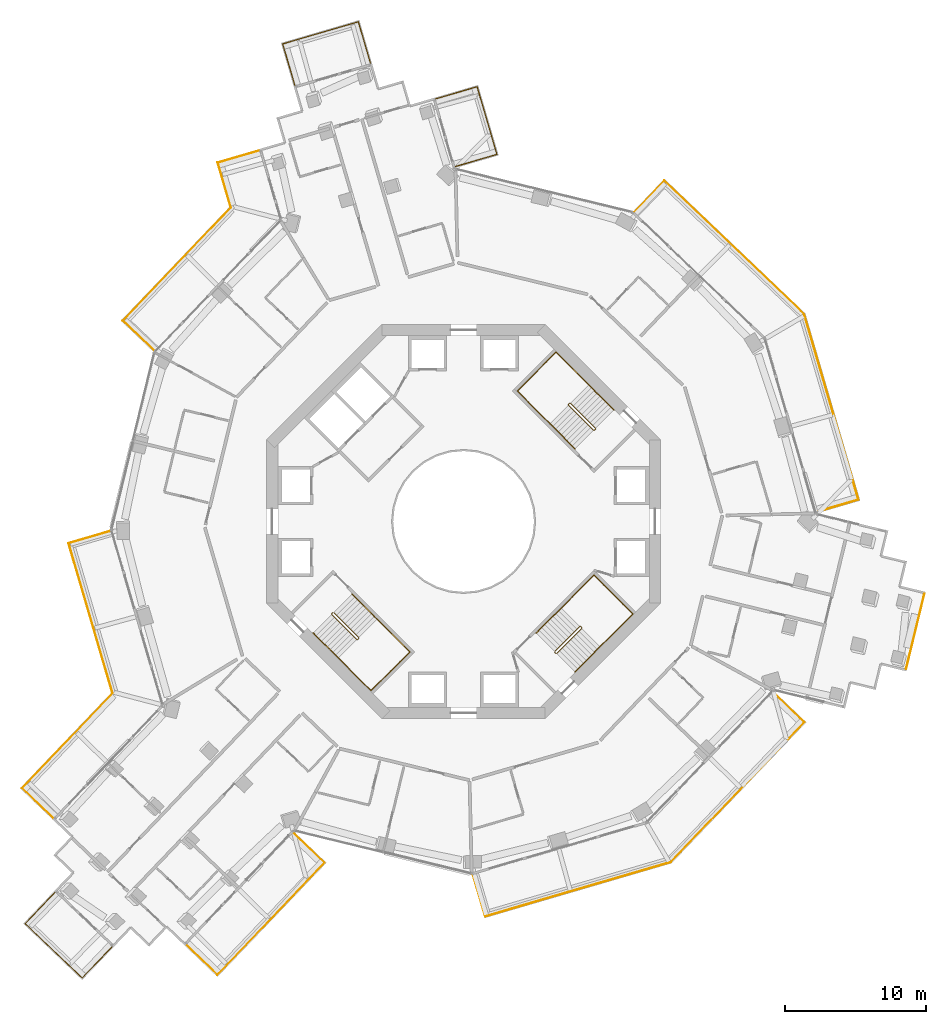
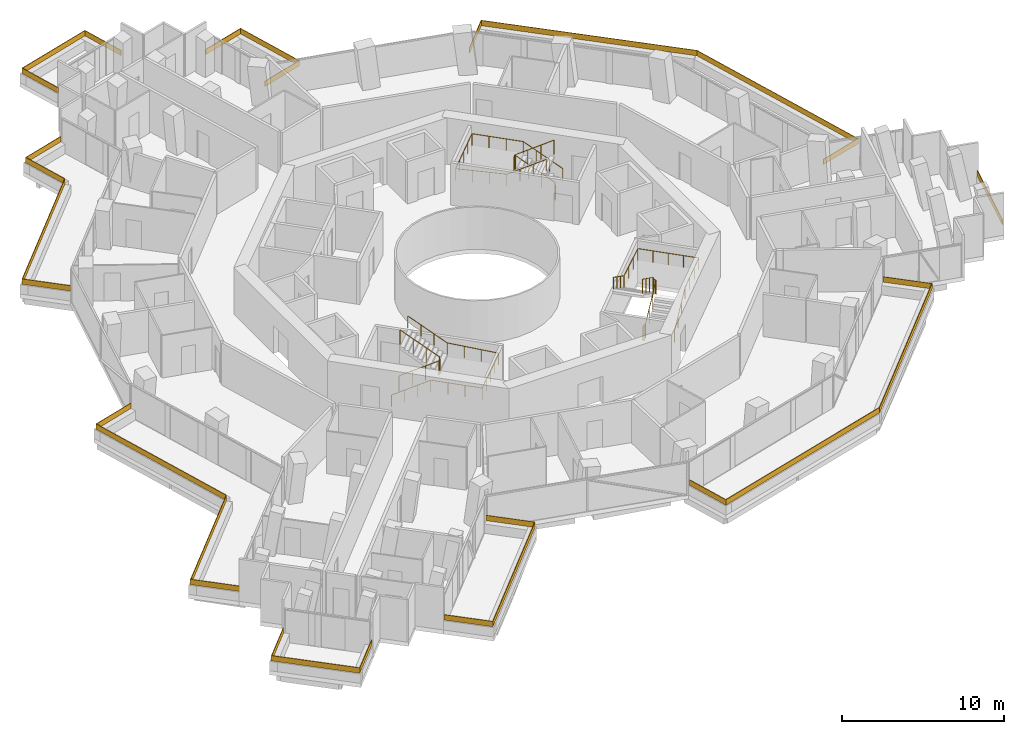
# One storey, part 25 of 25: 15 railings.
"""IFC4 building model written with IfcOpenShell, lengths in metres."""

from ifc_helpers import new_model, si_unit, direction, frame, origin, origin_2d, place, context, subcontext, project, spatial, polyline, rectangle, circle, outline, extrude, material, layer, layer_set, type_object, element, save


model = new_model("IFC4")

# Units and contexts
model_context = context("Model", 3, precision=1e-05, world=origin(), true_north=direction((0.0, 1.0)))
body_context = subcontext(model_context, "Body", "Model", "MODEL_VIEW")
ifc_project = project(units=[si_unit("LENGTHUNIT", "METRE"), si_unit("AREAUNIT", "SQUARE_METRE"), si_unit("VOLUMEUNIT", "CUBIC_METRE"), si_unit("PLANEANGLEUNIT", "RADIAN"), si_unit("MASSUNIT", "GRAM", prefix="KILO")], contexts=[model_context])

# Site, building, storey
site_placement = place(None, origin())
site = spatial("IfcSite", under=ifc_project, at=site_placement, CompositionType="ELEMENT")
building_placement = place(site_placement, origin())
building = spatial("IfcBuilding", under=site, at=building_placement, Name="Verdalira Terraces Hotel", CompositionType="ELEMENT")
storey_placement = place(building_placement, frame((0.0, 0.0, 100.0)))
storey = spatial("IfcBuildingStorey", under=building, at=storey_placement, Name="L23", CompositionType="ELEMENT", Elevation=100.0)

# Railings
ifc_material_1 = material(Name="Laminated glass", Category="glass")
ifc_layer = layer(ifc_material_1, 0.0400390625)
ifc_layer_set = layer_set([ifc_layer], Name="Balcony glass guard 400")
railing_type_1 = type_object("IfcRailingType", Name="Balcony glass guard 400", PredefinedType="GUARDRAIL", material=ifc_layer_set)
railing_1_placement = place(storey_placement, frame((0.0, 0.0, 0.699951)))
element("IfcRailing", 1, at=railing_1_placement, inside=storey, type_object=railing_type_1, Name="Balcony glass guard", PredefinedType="GUARDRAIL", context=body_context, shape_type="SweptSolid", body=[
    extrude(outline(polyline([(-7.489258, 35.471191), (-12.825195, 33.908936), (-11.959961, 30.953857), (-11.998291, 30.942627), (-12.874756, 33.936035), (-7.462158, 35.520996), (-6.585693, 32.527588), (-6.624023, 32.516357), (-7.489258, 35.471191)])), origin(), (0.0, 0.0, 1.0), 0.400146),
])
railing_2_placement = place(storey_placement, frame((0.0, 0.0, 0.699951)))
element("IfcRailing", 2, at=railing_2_placement, inside=storey, type_object=railing_type_1, Name="Balcony glass guard", PredefinedType="GUARDRAIL", context=body_context, shape_type="SweptSolid", body=[
    extrude(outline(polyline([(-17.44043, 25.472168), (-16.510254, 22.29541), (-24.17749, 14.266602), (-21.950684, 12.140137), (-21.978271, 12.111328), (-24.234131, 14.265381), (-16.555176, 22.306396), (-17.48999, 25.499268), (-14.496826, 26.375732), (-14.485596, 26.337158), (-17.44043, 25.472168)])), origin(), (0.0, 0.0, 1.0), 0.400146),
])
railing_3_placement = place(storey_placement, frame((0.0, 0.0, 0.699951)))
element("IfcRailing", 3, at=railing_3_placement, inside=storey, type_object=railing_type_1, Name="Balcony glass guard", PredefinedType="GUARDRAIL", context=body_context, shape_type="SweptSolid", body=[
    extrude(outline(polyline([(-28.029541, -1.559082), (-24.909912, -12.213623), (-31.3396, -18.946533), (-29.113037, -21.072998), (-29.140625, -21.102051), (-31.39624, -18.947998), (-24.954834, -12.202637), (-28.079102, -1.531982), (-25.085938, -0.655518), (-25.074707, -0.694092), (-28.029541, -1.559082)])), origin(), (0.0, 0.0, 1.0), 0.400146),
])
railing_4_placement = place(storey_placement, frame((0.0, 0.0, 0.699951)))
element("IfcRailing", 4, at=railing_4_placement, inside=storey, type_object=railing_type_1, Name="Balcony glass guard", PredefinedType="GUARDRAIL", context=body_context, shape_type="SweptSolid", body=[
    extrude(outline(polyline([(-31.118164, -28.560791), (-27.097168, -32.400635), (-24.970703, -30.173828), (-24.94165, -30.201416), (-27.095703, -32.457275), (-31.174805, -28.562012), (-29.020752, -26.306396), (-28.991699, -26.333984), (-31.118164, -28.560791)])), origin(), (0.0, 0.0, 1.0), 0.400146),
])
railing_5_placement = place(storey_placement, frame((0.0, 0.0, 0.699951)))
element("IfcRailing", 5, at=railing_5_placement, inside=storey, type_object=railing_type_1, Name="Balcony glass guard", PredefinedType="GUARDRAIL", context=body_context, shape_type="SweptSolid", body=[
    extrude(outline(polyline([(-17.48291, -32.179199), (-9.907959, -24.246826), (-12.134766, -22.120361), (-12.107178, -22.091553), (-9.851562, -24.245605), (-17.481689, -32.235596), (-19.737305, -30.081543), (-19.709717, -30.052734), (-17.48291, -32.179199)])), origin(), (0.0, 0.0, 1.0), 0.400146),
])
railing_6_placement = place(storey_placement, frame((0.0, 0.0, 0.699951)))
element("IfcRailing", 6, at=railing_6_placement, inside=storey, type_object=railing_type_1, Name="Balcony glass guard", PredefinedType="GUARDRAIL", context=body_context, shape_type="SweptSolid", body=[
    extrude(outline(polyline([(1.559082, -28.029541), (14.712158, -24.178467), (24.17749, -14.266602), (21.950684, -12.140137), (21.978271, -12.111328), (24.234131, -14.265381), (14.733887, -24.213867), (1.531982, -28.079102), (0.655518, -25.085938), (0.694092, -25.074707), (1.559082, -28.029541)])), origin(), (0.0, 0.0, 1.0), 0.400146),
])
railing_7_placement = place(storey_placement, frame((0.0, 0.0, 0.699951)))
element("IfcRailing", 7, at=railing_7_placement, inside=storey, type_object=railing_type_1, Name="Balcony glass guard", PredefinedType="GUARDRAIL", context=body_context, shape_type="SweptSolid", body=[
    extrude(outline(polyline([(28.029541, 1.559082), (24.178467, 14.712158), (14.266602, 24.17749), (12.140137, 21.950684), (12.111328, 21.978271), (14.265381, 24.234131), (24.213867, 14.733887), (28.079102, 1.531982), (25.085938, 0.655518), (25.074707, 0.694092), (28.029541, 1.559082)])), origin(), (0.0, 0.0, 1.0), 0.400146),
])
railing_8_placement = place(storey_placement, frame((0.0, 0.0, 0.699951)))
element("IfcRailing", 8, at=railing_8_placement, inside=storey, type_object=railing_type_1, Name="Balcony glass guard", PredefinedType="GUARDRAIL", context=body_context, shape_type="SweptSolid", body=[
    extrude(outline(polyline([(2.34375, 26.088135), (0.94751, 30.855957), (-2.007324, 29.990967), (-2.018555, 30.029297), (0.974609, 30.905762), (2.393311, 26.060791), (-0.600098, 25.18457), (-0.611328, 25.2229), (2.34375, 26.088135)])), origin(), (0.0, 0.0, 1.0), 0.400146),
])
railing_9_placement = place(storey_placement, frame((32.079834, -7.80835, 0.699951), z_axis=(0.0, 0.0, 1.0), x_axis=(0.236498997, 0.971631733, 0.0)))
element("IfcRailing", 9, at=railing_9_placement, inside=storey, type_object=railing_type_1, Name="Loggia glass guard", PredefinedType="GUARDRAIL", context=body_context, shape_type="SweptSolid", body=[
    extrude(rectangle(XDim=5.5, YDim=0.040039, at=origin_2d()), origin(), (0.0, 0.0, 1.0), 0.399902),
])
ifc_material_2 = material(Name="Stainless steel", Category="steel")
railing_type_2 = type_object("IfcRailingType", Name="Stair guard 1100", PredefinedType="GUARDRAIL", material=ifc_material_2)
railing_10_placement = place(storey_placement, frame((9.369141, 6.540771, 0.0)))
element("IfcRailing", 10, at=railing_10_placement, inside=storey, type_object=railing_type_2, Name="L23 ST1 stair guard 1", PredefinedType="GUARDRAIL", context=body_context, shape_type="SweptSolid", body=[
    extrude(circle(Radius=0.023926, at=origin_2d()), frame((0.0, 0.0, 1.076172), z_axis=(-0.707106781, -0.707106781, 0.0), x_axis=(0.707106781, -0.707106781, 0.0)), (0.0, 0.0, 1.0), 0.100098),
    extrude(circle(Radius=0.023926, at=origin_2d()), frame((-0.070801, -0.070801, 1.076172), z_axis=(0.300162975, 0.599290904, 0.742127078), x_axis=(-0.894118129, 0.447831187, 0.0)), (0.0, 0.0, 1.0), 0.23584),
    extrude(circle(Radius=0.023926, at=origin_2d()), frame((0.0, 0.070557, 1.250977), z_axis=(-0.599637504, 0.599637504, 0.52997144), x_axis=(-0.707106781, -0.707106781, 0.0)), (0.0, 0.0, 1.0), 2.97168),
    extrude(circle(Radius=0.023926, at=origin_2d()), frame((-1.781982, 1.852539, 2.826172), z_axis=(-1.0, 0.0, 0.0), x_axis=(0.0, -1.0, 0.0)), (0.0, 0.0, 1.0), 0.070557),
    extrude(circle(Radius=0.023926, at=origin_2d()), frame((-1.852539, 1.852539, 2.826172), z_axis=(-0.70832698, -0.705884473, 0.0), x_axis=(0.705884473, -0.70832698, 0.0)), (0.0, 0.0, 1.0), 0.099854),
    extrude(circle(Radius=0.023926, at=origin_2d()), frame((-1.92334, 1.781982, 2.826172), z_axis=(0.0, -0.374954687, 0.92704314), x_axis=(1.0, 0.0, 0.0)), (0.0, 0.0, 1.0), 0.188721),
    extrude(circle(Radius=0.023926, at=origin_2d()), frame((-1.92334, 1.711182, 3.000977), z_axis=(0.599637504, -0.599637504, 0.52997144), x_axis=(0.707106781, 0.707106781, 0.0)), (0.0, 0.0, 1.0), 2.97168),
    extrude(circle(Radius=0.020996, at=origin_2d()), origin(), (0.0, 0.0, 1.0), 1.052002),
    extrude(circle(Radius=0.020996, at=origin_2d()), frame((-0.070801, -0.070801, 0.0)), (0.0, 0.0, 1.0), 1.052002),
    extrude(circle(Radius=0.020996, at=origin_2d()), frame((0.0, 0.070557, 0.175049)), (0.0, 0.0, 1.0), 1.052002),
    extrude(circle(Radius=0.020996, at=origin_2d()), frame((-0.593994, 0.664551, 0.699951)), (0.0, 0.0, 1.0), 1.052002),
    extrude(circle(Radius=0.020996, at=origin_2d()), frame((-1.187988, 1.258545, 1.225098)), (0.0, 0.0, 1.0), 1.052002),
    extrude(circle(Radius=0.020996, at=origin_2d()), frame((-1.781982, 1.852539, 1.75)), (0.0, 0.0, 1.0), 1.052002),
    extrude(circle(Radius=0.020996, at=origin_2d()), frame((-1.852539, 1.852539, 1.75)), (0.0, 0.0, 1.0), 1.052002),
    extrude(circle(Radius=0.020996, at=origin_2d()), frame((-1.92334, 1.781982, 1.75)), (0.0, 0.0, 1.0), 1.052002),
    extrude(circle(Radius=0.020996, at=origin_2d()), frame((-1.92334, 1.711182, 1.925049)), (0.0, 0.0, 1.0), 1.052002),
    extrude(circle(Radius=0.020996, at=origin_2d()), frame((-1.329346, 1.117188, 2.449951)), (0.0, 0.0, 1.0), 1.052002),
    extrude(circle(Radius=0.020996, at=origin_2d()), frame((-0.735352, 0.523193, 2.975098)), (0.0, 0.0, 1.0), 1.052002),
    extrude(circle(Radius=0.020996, at=origin_2d()), frame((-0.141357, -0.070801, 3.5)), (0.0, 0.0, 1.0), 1.052002),
])
railing_11_placement = place(storey_placement, frame((-9.369141, -6.540771, 0.0)))
element("IfcRailing", 11, at=railing_11_placement, inside=storey, type_object=railing_type_2, Name="L23 ST2 stair guard 1", PredefinedType="GUARDRAIL", context=body_context, shape_type="SweptSolid", body=[
    extrude(circle(Radius=0.023926, at=origin_2d()), frame((0.0, 0.0, 1.076172), z_axis=(0.707106781, 0.707106781, 0.0), x_axis=(-0.707106781, 0.707106781, 0.0)), (0.0, 0.0, 1.0), 0.100098),
    extrude(circle(Radius=0.023926, at=origin_2d()), frame((0.070801, 0.070801, 1.076172), z_axis=(-0.300162975, -0.599290904, 0.742127078), x_axis=(0.894118129, -0.447831187, 0.0)), (0.0, 0.0, 1.0), 0.23584),
    extrude(circle(Radius=0.023926, at=origin_2d()), frame((0.0, -0.070557, 1.250977), z_axis=(0.599637504, -0.599637504, 0.52997144), x_axis=(0.707106781, 0.707106781, 0.0)), (0.0, 0.0, 1.0), 2.97168),
    extrude(circle(Radius=0.023926, at=origin_2d()), frame((1.781982, -1.852539, 2.826172), z_axis=(1.0, 0.0, 0.0), x_axis=(0.0, 1.0, 0.0)), (0.0, 0.0, 1.0), 0.070557),
    extrude(circle(Radius=0.023926, at=origin_2d()), frame((1.852539, -1.852539, 2.826172), z_axis=(0.70832698, 0.705884473, 0.0), x_axis=(-0.705884473, 0.70832698, 0.0)), (0.0, 0.0, 1.0), 0.099854),
    extrude(circle(Radius=0.023926, at=origin_2d()), frame((1.92334, -1.781982, 2.826172), z_axis=(0.0, 0.374954687, 0.92704314), x_axis=(-1.0, 0.0, 0.0)), (0.0, 0.0, 1.0), 0.188721),
    extrude(circle(Radius=0.023926, at=origin_2d()), frame((1.92334, -1.711182, 3.000977), z_axis=(-0.599637504, 0.599637504, 0.52997144), x_axis=(-0.707106781, -0.707106781, 0.0)), (0.0, 0.0, 1.0), 2.97168),
    extrude(circle(Radius=0.020996, at=origin_2d()), origin(), (0.0, 0.0, 1.0), 1.052002),
    extrude(circle(Radius=0.020996, at=origin_2d()), frame((0.070801, 0.070801, 0.0)), (0.0, 0.0, 1.0), 1.052002),
    extrude(circle(Radius=0.020996, at=origin_2d()), frame((0.0, -0.070557, 0.175049)), (0.0, 0.0, 1.0), 1.052002),
    extrude(circle(Radius=0.020996, at=origin_2d()), frame((0.593994, -0.664551, 0.699951)), (0.0, 0.0, 1.0), 1.052002),
    extrude(circle(Radius=0.020996, at=origin_2d()), frame((1.187988, -1.258545, 1.225098)), (0.0, 0.0, 1.0), 1.052002),
    extrude(circle(Radius=0.020996, at=origin_2d()), frame((1.781982, -1.852539, 1.75)), (0.0, 0.0, 1.0), 1.052002),
    extrude(circle(Radius=0.020996, at=origin_2d()), frame((1.852539, -1.852539, 1.75)), (0.0, 0.0, 1.0), 1.052002),
    extrude(circle(Radius=0.020996, at=origin_2d()), frame((1.92334, -1.781982, 1.75)), (0.0, 0.0, 1.0), 1.052002),
    extrude(circle(Radius=0.020996, at=origin_2d()), frame((1.92334, -1.711182, 1.925049)), (0.0, 0.0, 1.0), 1.052002),
    extrude(circle(Radius=0.020996, at=origin_2d()), frame((1.329346, -1.117188, 2.449951)), (0.0, 0.0, 1.0), 1.052002),
    extrude(circle(Radius=0.020996, at=origin_2d()), frame((0.735352, -0.523193, 2.975098)), (0.0, 0.0, 1.0), 1.052002),
    extrude(circle(Radius=0.020996, at=origin_2d()), frame((0.141357, 0.070801, 3.5)), (0.0, 0.0, 1.0), 1.052002),
])
railing_12_placement = place(storey_placement, frame((6.540771, -9.369141, 0.0)))
element("IfcRailing", 12, at=railing_12_placement, inside=storey, type_object=railing_type_2, Name="L23 ST3 stair guard 1", PredefinedType="GUARDRAIL", context=body_context, shape_type="SweptSolid", body=[
    extrude(circle(Radius=0.023926, at=origin_2d()), frame((0.0, 0.0, 1.076172), z_axis=(-0.707106781, 0.707106781, 0.0), x_axis=(-0.707106781, -0.707106781, 0.0)), (0.0, 0.0, 1.0), 0.100098),
    extrude(circle(Radius=0.023926, at=origin_2d()), frame((-0.070801, 0.070801, 1.076172), z_axis=(0.599290904, -0.300162975, 0.742127078), x_axis=(0.447831187, 0.894118129, 0.0)), (0.0, 0.0, 1.0), 0.23584),
    extrude(circle(Radius=0.023926, at=origin_2d()), frame((0.070557, 0.0, 1.250977), z_axis=(0.599637504, 0.599637504, 0.52997144), x_axis=(-0.707106781, 0.707106781, 0.0)), (0.0, 0.0, 1.0), 2.97168),
    extrude(circle(Radius=0.023926, at=origin_2d()), frame((1.852539, 1.781982, 2.826172), z_axis=(0.0, 1.0, 0.0), x_axis=(-1.0, 0.0, 0.0)), (0.0, 0.0, 1.0), 0.070557),
    extrude(circle(Radius=0.023926, at=origin_2d()), frame((1.852539, 1.852539, 2.826172), z_axis=(-0.705884473, 0.70832698, 0.0), x_axis=(-0.70832698, -0.705884473, 0.0)), (0.0, 0.0, 1.0), 0.099854),
    extrude(circle(Radius=0.023926, at=origin_2d()), frame((1.781982, 1.92334, 2.826172), z_axis=(-0.374954687, 0.0, 0.92704314), x_axis=(0.0, -1.0, 0.0)), (0.0, 0.0, 1.0), 0.188721),
    extrude(circle(Radius=0.023926, at=origin_2d()), frame((1.711182, 1.92334, 3.000977), z_axis=(-0.599637504, -0.599637504, 0.52997144), x_axis=(0.707106781, -0.707106781, 0.0)), (0.0, 0.0, 1.0), 2.97168),
    extrude(circle(Radius=0.020996, at=origin_2d()), origin(), (0.0, 0.0, 1.0), 1.052002),
    extrude(circle(Radius=0.020996, at=origin_2d()), frame((-0.070801, 0.070801, 0.0)), (0.0, 0.0, 1.0), 1.052002),
    extrude(circle(Radius=0.020996, at=origin_2d()), frame((0.070557, 0.0, 0.175049)), (0.0, 0.0, 1.0), 1.052002),
    extrude(circle(Radius=0.020996, at=origin_2d()), frame((0.664551, 0.593994, 0.699951)), (0.0, 0.0, 1.0), 1.052002),
    extrude(circle(Radius=0.020996, at=origin_2d()), frame((1.258545, 1.187988, 1.225098)), (0.0, 0.0, 1.0), 1.052002),
    extrude(circle(Radius=0.020996, at=origin_2d()), frame((1.852539, 1.781982, 1.75)), (0.0, 0.0, 1.0), 1.052002),
    extrude(circle(Radius=0.020996, at=origin_2d()), frame((1.852539, 1.852539, 1.75)), (0.0, 0.0, 1.0), 1.052002),
    extrude(circle(Radius=0.020996, at=origin_2d()), frame((1.781982, 1.92334, 1.75)), (0.0, 0.0, 1.0), 1.052002),
    extrude(circle(Radius=0.020996, at=origin_2d()), frame((1.711182, 1.92334, 1.925049)), (0.0, 0.0, 1.0), 1.052002),
    extrude(circle(Radius=0.020996, at=origin_2d()), frame((1.117188, 1.329346, 2.449951)), (0.0, 0.0, 1.0), 1.052002),
    extrude(circle(Radius=0.020996, at=origin_2d()), frame((0.523193, 0.735352, 2.975098)), (0.0, 0.0, 1.0), 1.052002),
    extrude(circle(Radius=0.020996, at=origin_2d()), frame((-0.070801, 0.141357, 3.5)), (0.0, 0.0, 1.0), 1.052002),
])
ifc_material_3 = material(Name="Stainless steel", Category="steel")
railing_type_3 = type_object("IfcRailingType", Name="Stair handrail 900", PredefinedType="HANDRAIL", material=ifc_material_3)
railing_13_placement = place(storey_placement, frame((10.677246, 7.919678, 0.175049)))
element("IfcRailing", 13, at=railing_13_placement, inside=storey, type_object=railing_type_3, Name="L23 ST1 stair handrail 1", PredefinedType="HANDRAIL", context=body_context, shape_type="SweptSolid", body=[
    extrude(circle(Radius=0.023926, at=origin_2d()), frame((0.0, 0.0, 0.875977), z_axis=(-0.599614426, 0.599614426, 0.530023659), x_axis=(-0.707106781, -0.707106781, 0.0)), (0.0, 0.0, 1.0), 2.971436),
    extrude(circle(Radius=0.023926, at=origin_2d()), frame((-1.781738, 1.781738, 2.450684), z_axis=(-0.707106781, 0.707106781, 0.0), x_axis=(-0.707106781, -0.707106781, 0.0)), (0.0, 0.0, 1.0), 3.280029),
    extrude(circle(Radius=0.023926, at=origin_2d()), frame((-4.101074, 4.101074, 2.450684), z_axis=(-0.707138081, -0.70707548, 0.0), x_axis=(0.70707548, -0.707138081, 0.0)), (0.0, 0.0, 1.0), 3.899902),
    extrude(circle(Radius=0.023926, at=origin_2d()), frame((-6.858887, 1.343506, 2.450684), z_axis=(0.706101958, -0.706101958, 0.053292116), x_axis=(0.707106781, 0.707106781, 0.0)), (0.0, 0.0, 1.0), 3.284668),
    extrude(circle(Radius=0.023926, at=origin_2d()), frame((-4.539551, -0.97583, 2.625977), z_axis=(0.599637504, -0.599637504, 0.52997144), x_axis=(0.707106781, 0.707106781, 0.0)), (0.0, 0.0, 1.0), 2.97168),
    extrude(circle(Radius=0.020996, at=origin_2d()), origin(), (0.0, 0.0, 1.0), 0.851807),
    extrude(circle(Radius=0.020996, at=origin_2d()), frame((-0.593994, 0.593994, 0.524902)), (0.0, 0.0, 1.0), 0.851807),
    extrude(circle(Radius=0.020996, at=origin_2d()), frame((-1.187744, 1.187744, 1.050049)), (0.0, 0.0, 1.0), 0.851807),
    extrude(circle(Radius=0.020996, at=origin_2d()), frame((-1.781738, 1.781738, 1.574951)), (0.0, 0.0, 1.0), 0.851807),
    extrude(circle(Radius=0.020996, at=origin_2d()), frame((-2.554932, 2.554932, 1.574951)), (0.0, 0.0, 1.0), 0.851807),
    extrude(circle(Radius=0.020996, at=origin_2d()), frame((-3.327881, 3.327881, 1.574951)), (0.0, 0.0, 1.0), 0.851807),
    extrude(circle(Radius=0.020996, at=origin_2d()), frame((-4.101074, 4.101074, 1.574951)), (0.0, 0.0, 1.0), 0.851807),
    extrude(circle(Radius=0.020996, at=origin_2d()), frame((-4.790527, 3.411621, 1.574951)), (0.0, 0.0, 1.0), 0.851807),
    extrude(circle(Radius=0.020996, at=origin_2d()), frame((-5.47998, 2.722168, 1.574951)), (0.0, 0.0, 1.0), 0.851807),
    extrude(circle(Radius=0.020996, at=origin_2d()), frame((-6.169434, 2.032959, 1.574951)), (0.0, 0.0, 1.0), 0.851807),
    extrude(circle(Radius=0.020996, at=origin_2d()), frame((-6.858887, 1.343506, 1.574951)), (0.0, 0.0, 1.0), 0.851807),
    extrude(circle(Radius=0.020996, at=origin_2d()), frame((-6.085693, 0.570312, 1.633301)), (0.0, 0.0, 1.0), 0.851807),
    extrude(circle(Radius=0.020996, at=origin_2d()), frame((-5.312744, -0.202637, 1.69165)), (0.0, 0.0, 1.0), 0.851807),
    extrude(circle(Radius=0.020996, at=origin_2d()), frame((-4.539551, -0.97583, 1.75)), (0.0, 0.0, 1.0), 0.851807),
    extrude(circle(Radius=0.020996, at=origin_2d()), frame((-3.945557, -1.569824, 2.274902)), (0.0, 0.0, 1.0), 0.851807),
    extrude(circle(Radius=0.020996, at=origin_2d()), frame((-3.351562, -2.163818, 2.800049)), (0.0, 0.0, 1.0), 0.851807),
    extrude(circle(Radius=0.020996, at=origin_2d()), frame((-2.757568, -2.757812, 3.324951)), (0.0, 0.0, 1.0), 0.851807),
])
railing_14_placement = place(storey_placement, frame((-10.677246, -7.919678, 0.175049)))
element("IfcRailing", 14, at=railing_14_placement, inside=storey, type_object=railing_type_3, Name="L23 ST2 stair handrail 1", PredefinedType="HANDRAIL", context=body_context, shape_type="SweptSolid", body=[
    extrude(circle(Radius=0.023926, at=origin_2d()), frame((0.0, 0.0, 0.875977), z_axis=(0.599614426, -0.599614426, 0.530023659), x_axis=(0.707106781, 0.707106781, 0.0)), (0.0, 0.0, 1.0), 2.971436),
    extrude(circle(Radius=0.023926, at=origin_2d()), frame((1.781738, -1.781738, 2.450684), z_axis=(0.707106781, -0.707106781, 0.0), x_axis=(0.707106781, 0.707106781, 0.0)), (0.0, 0.0, 1.0), 3.280029),
    extrude(circle(Radius=0.023926, at=origin_2d()), frame((4.101074, -4.101074, 2.450684), z_axis=(0.707138081, 0.70707548, 0.0), x_axis=(-0.70707548, 0.707138081, 0.0)), (0.0, 0.0, 1.0), 3.899902),
    extrude(circle(Radius=0.023926, at=origin_2d()), frame((6.858887, -1.343506, 2.450684), z_axis=(-0.706101958, 0.706101958, 0.053292116), x_axis=(-0.707106781, -0.707106781, 0.0)), (0.0, 0.0, 1.0), 3.284668),
    extrude(circle(Radius=0.023926, at=origin_2d()), frame((4.539551, 0.97583, 2.625977), z_axis=(-0.599637504, 0.599637504, 0.52997144), x_axis=(-0.707106781, -0.707106781, 0.0)), (0.0, 0.0, 1.0), 2.97168),
    extrude(circle(Radius=0.020996, at=origin_2d()), origin(), (0.0, 0.0, 1.0), 0.851807),
    extrude(circle(Radius=0.020996, at=origin_2d()), frame((0.593994, -0.593994, 0.524902)), (0.0, 0.0, 1.0), 0.851807),
    extrude(circle(Radius=0.020996, at=origin_2d()), frame((1.187744, -1.187744, 1.050049)), (0.0, 0.0, 1.0), 0.851807),
    extrude(circle(Radius=0.020996, at=origin_2d()), frame((1.781738, -1.781738, 1.574951)), (0.0, 0.0, 1.0), 0.851807),
    extrude(circle(Radius=0.020996, at=origin_2d()), frame((2.554932, -2.554932, 1.574951)), (0.0, 0.0, 1.0), 0.851807),
    extrude(circle(Radius=0.020996, at=origin_2d()), frame((3.327881, -3.327881, 1.574951)), (0.0, 0.0, 1.0), 0.851807),
    extrude(circle(Radius=0.020996, at=origin_2d()), frame((4.101074, -4.101074, 1.574951)), (0.0, 0.0, 1.0), 0.851807),
    extrude(circle(Radius=0.020996, at=origin_2d()), frame((4.790527, -3.411621, 1.574951)), (0.0, 0.0, 1.0), 0.851807),
    extrude(circle(Radius=0.020996, at=origin_2d()), frame((5.47998, -2.722168, 1.574951)), (0.0, 0.0, 1.0), 0.851807),
    extrude(circle(Radius=0.020996, at=origin_2d()), frame((6.169434, -2.032959, 1.574951)), (0.0, 0.0, 1.0), 0.851807),
    extrude(circle(Radius=0.020996, at=origin_2d()), frame((6.858887, -1.343506, 1.574951)), (0.0, 0.0, 1.0), 0.851807),
    extrude(circle(Radius=0.020996, at=origin_2d()), frame((6.085693, -0.570312, 1.633301)), (0.0, 0.0, 1.0), 0.851807),
    extrude(circle(Radius=0.020996, at=origin_2d()), frame((5.312744, 0.202637, 1.69165)), (0.0, 0.0, 1.0), 0.851807),
    extrude(circle(Radius=0.020996, at=origin_2d()), frame((4.539551, 0.97583, 1.75)), (0.0, 0.0, 1.0), 0.851807),
    extrude(circle(Radius=0.020996, at=origin_2d()), frame((3.945557, 1.569824, 2.274902)), (0.0, 0.0, 1.0), 0.851807),
    extrude(circle(Radius=0.020996, at=origin_2d()), frame((3.351562, 2.163818, 2.800049)), (0.0, 0.0, 1.0), 0.851807),
    extrude(circle(Radius=0.020996, at=origin_2d()), frame((2.757568, 2.757812, 3.324951)), (0.0, 0.0, 1.0), 0.851807),
])
railing_15_placement = place(storey_placement, frame((7.919678, -10.677246, 0.175049)))
element("IfcRailing", 15, at=railing_15_placement, inside=storey, type_object=railing_type_3, Name="L23 ST3 stair handrail 1", PredefinedType="HANDRAIL", context=body_context, shape_type="SweptSolid", body=[
    extrude(circle(Radius=0.023926, at=origin_2d()), frame((0.0, 0.0, 0.875977), z_axis=(0.599614426, 0.599614426, 0.530023659), x_axis=(-0.707106781, 0.707106781, 0.0)), (0.0, 0.0, 1.0), 2.971436),
    extrude(circle(Radius=0.023926, at=origin_2d()), frame((1.781738, 1.781738, 2.450684), z_axis=(0.707106781, 0.707106781, 0.0), x_axis=(-0.707106781, 0.707106781, 0.0)), (0.0, 0.0, 1.0), 3.280029),
    extrude(circle(Radius=0.023926, at=origin_2d()), frame((4.101074, 4.101074, 2.450684), z_axis=(-0.70707548, 0.707138081, 0.0), x_axis=(-0.707138081, -0.70707548, 0.0)), (0.0, 0.0, 1.0), 3.899902),
    extrude(circle(Radius=0.023926, at=origin_2d()), frame((1.343506, 6.858887, 2.450684), z_axis=(-0.706101958, -0.706101958, 0.053292116), x_axis=(0.707106781, -0.707106781, 0.0)), (0.0, 0.0, 1.0), 3.284668),
    extrude(circle(Radius=0.023926, at=origin_2d()), frame((-0.97583, 4.539551, 2.625977), z_axis=(-0.599637504, -0.599637504, 0.52997144), x_axis=(0.707106781, -0.707106781, 0.0)), (0.0, 0.0, 1.0), 2.97168),
    extrude(circle(Radius=0.020996, at=origin_2d()), origin(), (0.0, 0.0, 1.0), 0.851807),
    extrude(circle(Radius=0.020996, at=origin_2d()), frame((0.593994, 0.593994, 0.524902)), (0.0, 0.0, 1.0), 0.851807),
    extrude(circle(Radius=0.020996, at=origin_2d()), frame((1.187744, 1.187744, 1.050049)), (0.0, 0.0, 1.0), 0.851807),
    extrude(circle(Radius=0.020996, at=origin_2d()), frame((1.781738, 1.781738, 1.574951)), (0.0, 0.0, 1.0), 0.851807),
    extrude(circle(Radius=0.020996, at=origin_2d()), frame((2.554932, 2.554932, 1.574951)), (0.0, 0.0, 1.0), 0.851807),
    extrude(circle(Radius=0.020996, at=origin_2d()), frame((3.327881, 3.327881, 1.574951)), (0.0, 0.0, 1.0), 0.851807),
    extrude(circle(Radius=0.020996, at=origin_2d()), frame((4.101074, 4.101074, 1.574951)), (0.0, 0.0, 1.0), 0.851807),
    extrude(circle(Radius=0.020996, at=origin_2d()), frame((3.411621, 4.790527, 1.574951)), (0.0, 0.0, 1.0), 0.851807),
    extrude(circle(Radius=0.020996, at=origin_2d()), frame((2.722168, 5.47998, 1.574951)), (0.0, 0.0, 1.0), 0.851807),
    extrude(circle(Radius=0.020996, at=origin_2d()), frame((2.032959, 6.169434, 1.574951)), (0.0, 0.0, 1.0), 0.851807),
    extrude(circle(Radius=0.020996, at=origin_2d()), frame((1.343506, 6.858887, 1.574951)), (0.0, 0.0, 1.0), 0.851807),
    extrude(circle(Radius=0.020996, at=origin_2d()), frame((0.570312, 6.085693, 1.633301)), (0.0, 0.0, 1.0), 0.851807),
    extrude(circle(Radius=0.020996, at=origin_2d()), frame((-0.202637, 5.312744, 1.69165)), (0.0, 0.0, 1.0), 0.851807),
    extrude(circle(Radius=0.020996, at=origin_2d()), frame((-0.97583, 4.539551, 1.75)), (0.0, 0.0, 1.0), 0.851807),
    extrude(circle(Radius=0.020996, at=origin_2d()), frame((-1.569824, 3.945557, 2.274902)), (0.0, 0.0, 1.0), 0.851807),
    extrude(circle(Radius=0.020996, at=origin_2d()), frame((-2.163818, 3.351562, 2.800049)), (0.0, 0.0, 1.0), 0.851807),
    extrude(circle(Radius=0.020996, at=origin_2d()), frame((-2.757812, 2.757568, 3.324951)), (0.0, 0.0, 1.0), 0.851807),
])

save(model, "model.ifc")
